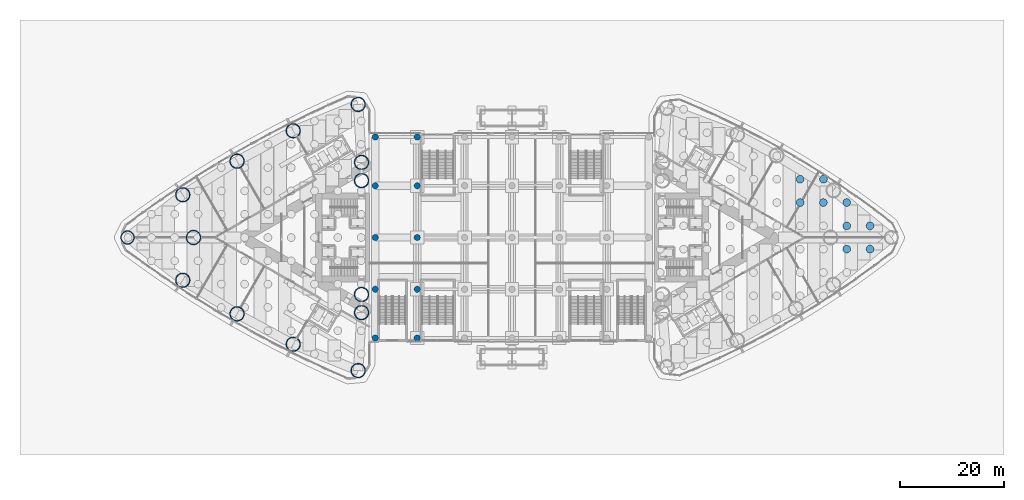
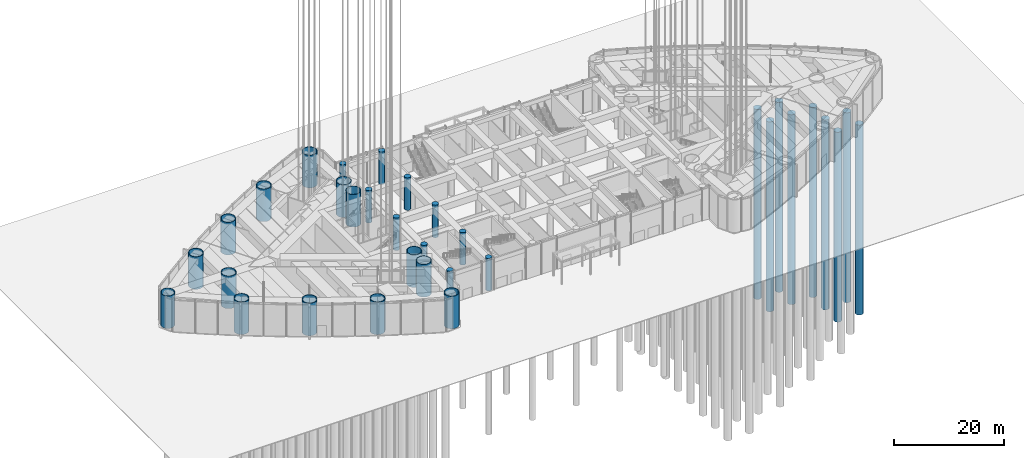
# One storey, part 2 of 43: 24 columns, 9 piles.
"""IFC4 building model written with IfcOpenShell, lengths in metres."""

import ifcopenshell
import ifcopenshell.guid

model = None  # the IFC model being written
_history = None  # IfcOwnerHistory: only IFC2X3 demands one
_inside = {}  # id of a spatial element -> (the spatial element, [elements in it])
_under = {}  # id of a project, library or spatial element -> (it, [spatial elements below it])
_declared = {}  # id of a project -> (the project, [libraries it declares])
_typed = {}  # id of a type object -> (the type object, [elements of that type])
_made_of = {}  # id of a material, layer set ... -> (it, [elements and type objects made of it])


def new_model(schema):
    """Start an empty IFC model of exactly this schema.

    Asked for "IFC4X3", IfcOpenShell would pick the latest addendum, in which some entities
    have other attributes; the version numbers below select the first issue.
    IFC2X3 requires an IfcOwnerHistory on every rooted entity: one is made here for all.
    """
    global model, _history
    if schema == "IFC4X3":
        model = ifcopenshell.file(schema_version=(4, 3, 0, 0))
    else:
        model = ifcopenshell.file(schema=schema)
    _inside.clear()
    _under.clear()
    _declared.clear()
    _typed.clear()
    _made_of.clear()
    _history = None
    if model.schema == "IFC2X3":
        org = make("IfcOrganization", Name="unknown")
        user = make(
            "IfcPersonAndOrganization",
            ThePerson=make("IfcPerson", FamilyName="unknown"),
            TheOrganization=org,
        )
        app = make(
            "IfcApplication",
            ApplicationDeveloper=org,
            Version="unknown",
            ApplicationFullName="unknown",
            ApplicationIdentifier="unknown",
        )
        _history = make(
            "IfcOwnerHistory",
            OwningUser=user,
            OwningApplication=app,
            ChangeAction="ADDED",
            CreationDate=0,
        )
    return model


def make(cls, **values):
    """One entity of the class cls with the attributes given. An attribute that is None is left unset."""
    return model.create_entity(
        cls, **{name: value for name, value in values.items() if value is not None}
    )


def rooted(cls, **values):
    """An entity with a GlobalId (a new one), such as an element, a storey or a relation."""
    return make(cls, GlobalId=ifcopenshell.guid.new(), OwnerHistory=_history, **values)


def si_unit(unit_type, name, prefix=None):
    """IfcSIUnit, for example si_unit("LENGTHUNIT", "METRE", prefix="MILLI")."""
    return make("IfcSIUnit", UnitType=unit_type, Prefix=prefix, Name=name)


def assignment(units):
    """IfcUnitAssignment: the units of a project."""
    return None if units is None else make("IfcUnitAssignment", Units=units)


def point(xyz):
    """IfcCartesianPoint."""
    return None if xyz is None else make("IfcCartesianPoint", Coordinates=xyz)


def direction(xyz):
    """IfcDirection."""
    return None if xyz is None else make("IfcDirection", DirectionRatios=xyz)


def frame(location, z_axis=None, x_axis=None):
    """IfcAxis2Placement3D, a coordinate frame: its origin and axes. An axis left out is left unset."""
    return make(
        "IfcAxis2Placement3D",
        Location=point(location),
        Axis=direction(z_axis),
        RefDirection=direction(x_axis),
    )


def frame_2d(location, x_axis=None):
    """IfcAxis2Placement2D, a coordinate frame in the plane: its origin and x axis."""
    return make(
        "IfcAxis2Placement2D", Location=point(location), RefDirection=direction(x_axis)
    )


def origin():
    """The frame at (0, 0, 0) with its axes left unset."""
    return frame((0.0, 0.0, 0.0))


def origin_2d():
    """The frame at (0, 0) in the plane with its x axis left unset."""
    return frame_2d((0.0, 0.0))


def place(relative_to, where):
    """IfcLocalPlacement: puts the frame where relative to a parent placement (None: the world)."""
    return make(
        "IfcLocalPlacement", PlacementRelTo=relative_to, RelativePlacement=where
    )


def context(
    kind, dimensions, precision=None, world=None, true_north=None, identifier=None
):
    """IfcGeometricRepresentationContext, for example the 3D "Model" context."""
    return make(
        "IfcGeometricRepresentationContext",
        ContextIdentifier=identifier,
        ContextType=kind,
        CoordinateSpaceDimension=dimensions,
        Precision=precision,
        WorldCoordinateSystem=world,
        TrueNorth=true_north,
    )


def subcontext(parent, identifier, kind, view, scale=None):
    """IfcGeometricRepresentationSubContext, for example "Body" below "Model"."""
    return make(
        "IfcGeometricRepresentationSubContext",
        ContextIdentifier=identifier,
        ContextType=kind,
        ParentContext=parent,
        TargetScale=scale,
        TargetView=view,
    )


def project(units=None, contexts=None):
    """IfcProject with its units and contexts."""
    return rooted(
        "IfcProject",
        Name="project",
        RepresentationContexts=contexts,
        UnitsInContext=assignment(units),
    )


def spatial(cls, under=None, at=None, **own):
    """A site, building, storey or space (cls), placed at a placement, below another one or the project."""
    s = rooted(cls, ObjectPlacement=at, **own)
    if under is not None:
        _under.setdefault(under.id(), (under, []))[1].append(s)
    return s


def profile(cls, at=None, kind="AREA", **sizes):
    """A parametric profile (cls). Its sizes go by their IFC names, for example OverallWidth=200.0."""
    return make(cls, ProfileType=kind, Position=at, **sizes)


def circle(**sizes):
    """IfcCircleProfileDef."""
    return profile("IfcCircleProfileDef", **sizes)


def hollow_circle(**sizes):
    """IfcCircleHollowProfileDef."""
    return profile("IfcCircleHollowProfileDef", **sizes)


def extrude(swept, where, along, depth):
    """IfcExtrudedAreaSolid: the profile swept, set in the frame where, extruded along a direction by depth."""
    return make(
        "IfcExtrudedAreaSolid",
        SweptArea=swept,
        Position=where,
        ExtrudedDirection=direction(along),
        Depth=depth,
    )


def shape(context_of_items, identifier, shape_type, items):
    """IfcShapeRepresentation: the items that make up one representation, for example the "Body"."""
    return make(
        "IfcShapeRepresentation",
        ContextOfItems=context_of_items,
        RepresentationIdentifier=identifier,
        RepresentationType=shape_type,
        Items=items,
    )


def material(Name=None, Category=None):
    """IfcMaterial."""
    return make("IfcMaterial", Name=Name, Category=Category)


def material_profile(
    of_material, cross_section, Name=None, Category=None, Priority=None
):
    """IfcMaterialProfile: a cross section and its material."""
    return make(
        "IfcMaterialProfile",
        Name=Name,
        Material=of_material,
        Profile=cross_section,
        Priority=Priority,
        Category=Category,
    )


def profile_set(profiles, Name=None, composite=None):
    """IfcMaterialProfileSet."""
    return make(
        "IfcMaterialProfileSet",
        Name=Name,
        MaterialProfiles=profiles,
        CompositeProfile=composite,
    )


def made_of(thing, what):
    """Note that an element or type object is made of a material, layer set ...; save() writes the relation."""
    if what is not None:
        _made_of.setdefault(what.id(), (what, []))[1].append(thing)
    return thing


def type_object(cls, material=None, **own):
    """A type object (cls), such as IfcWallType, which elements share."""
    return made_of(rooted(cls, **own), material)


def element(
    cls,
    number,
    at=None,
    inside=None,
    cuts=None,
    type_object=None,
    material=None,
    context=None,
    identifier="Body",
    shape_type=None,
    held_by="IfcProductDefinitionShape",
    body=None,
    shapes=None,
    **own,
):
    """One element of the class cls, such as IfcWall. Its Tag is "e" and its number.

    at: its placement. inside: the storey or other place that contains it. cuts: it is an
    opening in that element (IfcRelVoidsElement). A single representation is given by context,
    identifier, shape_type and body (its items); several are given by shapes. held_by: the class
    of the entity that holds the representations. save() writes the other relations.
    """
    e = rooted(cls, Tag="e%d" % number, ObjectPlacement=at, **own)
    if body is not None:
        shapes = [shape(context, identifier, shape_type, body)]
    if shapes is not None:
        e.Representation = make(held_by, Representations=shapes)
    if inside is not None:
        _inside.setdefault(inside.id(), (inside, []))[1].append(e)
    if cuts is not None:
        rooted(
            "IfcRelVoidsElement", RelatingBuildingElement=cuts, RelatedOpeningElement=e
        )
    if type_object is not None:
        _typed.setdefault(type_object.id(), (type_object, []))[1].append(e)
    return made_of(e, material)


def aggregate(whole, parts):
    """IfcRelAggregates: a whole, such as a stair, and the parts it consists of."""
    return rooted("IfcRelAggregates", RelatingObject=whole, RelatedObjects=parts)


def save(model, path):
    """Write the relations noted so far, then the file.

    IfcRelAggregates (storeys below a building ...), IfcRelContainedInSpatialStructure (elements
    in a storey), IfcRelDefinesByType, IfcRelAssociatesMaterial and IfcRelDeclares: one each for
    every whole, place, type object, material and project.
    """
    for whole, parts in _under.values():
        aggregate(whole, parts)
    for where, things in _inside.values():
        rooted(
            "IfcRelContainedInSpatialStructure",
            RelatedElements=things,
            RelatingStructure=where,
        )
    for kind, things in _typed.values():
        rooted("IfcRelDefinesByType", RelatedObjects=things, RelatingType=kind)
    for what, things in _made_of.values():
        rooted("IfcRelAssociatesMaterial", RelatedObjects=things, RelatingMaterial=what)
    for by, libraries in _declared.values():
        rooted("IfcRelDeclares", RelatingContext=by, RelatedDefinitions=libraries)
    model.write(path)


model = new_model("IFC4")

# Units and contexts
model_context = context("Model", 3, precision=1e-05, world=origin(), true_north=direction((0.0, 1.0)))
body_context = subcontext(model_context, "Body", "Model", "MODEL_VIEW")
ifc_project = project(units=[si_unit("LENGTHUNIT", "METRE"), si_unit("AREAUNIT", "SQUARE_METRE"), si_unit("VOLUMEUNIT", "CUBIC_METRE"), si_unit("PLANEANGLEUNIT", "RADIAN"), si_unit("MASSUNIT", "GRAM", prefix="KILO")], contexts=[model_context])

# Site, building, storey
site_placement = place(None, origin())
site = spatial("IfcSite", under=ifc_project, at=site_placement, CompositionType="ELEMENT")
building_placement = place(site_placement, origin())
building = spatial("IfcBuilding", under=site, at=building_placement, Name="Lancet Gate Hotel", CompositionType="ELEMENT")
storey_placement = place(building_placement, origin())
storey = spatial("IfcBuildingStorey", under=building, at=storey_placement, Name="L00", CompositionType="ELEMENT", Elevation=0.0)

# Piles
ifc_material_1 = material(Name="Concrete C40/50", Category="concrete")
ifc_material_profile_1 = material_profile(ifc_material_1, circle(Radius=0.75, at=origin_2d()), Name="PILE D1500")
ifc_profile_set_1 = profile_set([ifc_material_profile_1], Name="Concrete C40/50")
pile_type = type_object("IfcPileType", Name="Bored pile D1500", PredefinedType="BORED", material=ifc_profile_set_1)
for number, where, z_axis, x_axis, name in (
    (1, (55.63330078125, 6.75, -4.25), (0.0, 0.0, -1.0), (1.0, 0.0, 0.0), "T2 pile 065"),
    (2, (55.63330078125, 11.25, -4.25), (0.0, 0.0, -1.0), (1.0, 0.0, 0.0), "T2 pile 066"),
    (3, (60.13330078125, 6.75, -4.25), (0.0, 0.0, -1.0), (1.0, 0.0, 0.0), "T2 pile 071"),
    (4, (60.13330078125, 11.25, -4.25), (0.0, 0.0, -1.0), (1.0, 0.0, 0.0), "T2 pile 072"),
    (5, (64.63330078125, -2.25, -4.25), (0.0, 0.0, -1.0), (1.0, 0.0, 0.0), "T2 pile 074"),
    (6, (64.63330078125, 2.25, -4.25), (0.0, 0.0, -1.0), (1.0, 0.0, 0.0), "T2 pile 075"),
    (7, (64.63330078125, 6.75, -4.25), (0.0, 0.0, -1.0), (1.0, 0.0, 0.0), "T2 pile 076"),
    (8, (69.13330078125, -2.25, -4.25), (0.0, 0.0, -1.0), (1.0, 0.0, 0.0), "T2 pile 077"),
    (9, (69.13330078125, 2.25, -4.25), (0.0, 0.0, -1.0), (1.0, 0.0, 0.0), "T2 pile 078"),
):
    element("IfcPile", number, at=place(storey_placement, frame(where, z_axis=z_axis, x_axis=x_axis)), inside=storey, type_object=pile_type, Name=name, PredefinedType="BORED", context=body_context, shape_type="SweptSolid", body=[
        extrude(circle(Radius=0.75, at=origin_2d()), origin(), (0.0, 0.0, 1.0), 42.0),
    ])

# Columns
ifc_material_2 = material(Name="Composite filled tube, grade 460 plate, grade 80/95 fill", Category="composite")
ifc_material_profile_2 = material_profile(ifc_material_2, hollow_circle(Radius=1.39990234375, WallThickness=0.10009765625, at=origin_2d()), Name="CHS 2800x100")
ifc_profile_set_2 = profile_set([ifc_material_profile_2], Name="Composite filled tube, grade 460 plate, grade 80/95 fill")
column_type_1 = type_object("IfcColumnType", Name="Apex column CFT CHS 2800x100", PredefinedType="COLUMN", material=ifc_profile_set_2)
column_1_placement = place(storey_placement, frame((-61.5, 0.0, 0.0), z_axis=(0.0, 0.0, 1.0), x_axis=(1.0, 0.0, 0.0)))
element("IfcColumn", 10, at=column_1_placement, inside=storey, type_object=column_type_1, Name="T1 column AX L00", PredefinedType="COLUMN", context=body_context, shape_type="SweptSolid", body=[
    extrude(hollow_circle(Radius=1.39990234375, WallThickness=0.10009765625, at=origin_2d()), origin(), (0.0, 0.0, 1.0), 7.199951171875),
])
ifc_material_3 = material(Name="Composite filled tube, grade 460 plate, grade 80/95 fill", Category="composite")
ifc_material_profile_3 = material_profile(ifc_material_3, hollow_circle(Radius=1.300048828125, WallThickness=0.10009765625, at=origin_2d()), Name="CHS 2600x100")
ifc_profile_set_3 = profile_set([ifc_material_profile_3], Name="Composite filled tube, grade 460 plate, grade 80/95 fill")
column_type_2 = type_object("IfcColumnType", Name="Apex corner column CFT CHS 2600x100", PredefinedType="COLUMN", material=ifc_profile_set_3)
column_2_placement = place(storey_placement, frame((-74.235107421875, 0.0, 0.0), z_axis=(0.0, 0.0, 1.0), x_axis=(1.0, 0.0, 0.0)))
element("IfcColumn", 11, at=column_2_placement, inside=storey, type_object=column_type_2, Name="T1 column CA L00", PredefinedType="COLUMN", context=body_context, shape_type="SweptSolid", body=[
    extrude(hollow_circle(Radius=1.300048828125, WallThickness=0.10009765625, at=origin_2d()), origin(), (0.0, 0.0, 1.0), 7.199951171875),
])
ifc_material_4 = material(Name="Composite filled tube, grade 460 plate, grade 80/95 fill", Category="composite")
ifc_material_profile_4 = material_profile(ifc_material_4, hollow_circle(Radius=1.39990234375, WallThickness=0.1201171875, at=origin_2d()), Name="CHS 2800x120")
ifc_profile_set_4 = profile_set([ifc_material_profile_4], Name="Composite filled tube, grade 460 plate, grade 80/95 fill")
column_type_3 = type_object("IfcColumnType", Name="Perimeter column CFT CHS 2800x120", PredefinedType="COLUMN", material=ifc_profile_set_4)
for number, where, z_axis, x_axis, name in (
    (12, (-29.703369140625, -25.70263671875, 0.0), (0.0, 0.0, 1.0), (1.0, 0.0, 0.0), "T1 column CN L00"),
    (13, (-29.703369140625, 25.70263671875, 0.0), (0.0, 0.0, 1.0), (1.0, 0.0, 0.0), "T1 column CS L00"),
    (14, (-29.050048828125, -11.0, 0.0), (0.0, 0.0, 1.0), (1.0, 0.0, 0.0), "T1 column IN L00"),
    (15, (-29.050048828125, 11.0, 0.0), (0.0, 0.0, 1.0), (1.0, 0.0, 0.0), "T1 column IS L00"),
    (16, (-29.050048828125, 14.5, 0.0), (0.0, 0.0, 1.0), (1.0, 0.0, 0.0), "T1 column IT L00"),
    (17, (-29.050048828125, -14.5, 0.0), (0.0, 0.0, 1.0), (1.0, 0.0, 0.0), "T1 column JT L00"),
    (18, (-63.57177734375, -8.255126953125, 0.0), (0.0, 0.0, 1.0), (1.0, 0.0, 0.0), "T1 column ON1 L00"),
    (19, (-53.090087890625, -14.744873046875, 0.0), (0.0, 0.0, 1.0), (1.0, 0.0, 0.0), "T1 column ON2 L00"),
    (20, (-42.2451171875, -20.607421875, 0.0), (0.0, 0.0, 1.0), (1.0, 0.0, 0.0), "T1 column ON3 L00"),
    (21, (-42.2451171875, 20.607421875, 0.0), (0.0, 0.0, 1.0), (1.0, 0.0, 0.0), "T1 column OS1 L00"),
    (22, (-53.090087890625, 14.744873046875, 0.0), (0.0, 0.0, 1.0), (1.0, 0.0, 0.0), "T1 column OS2 L00"),
    (23, (-63.57177734375, 8.255126953125, 0.0), (0.0, 0.0, 1.0), (1.0, 0.0, 0.0), "T1 column OS3 L00"),
):
    element("IfcColumn", number, at=place(storey_placement, frame(where, z_axis=z_axis, x_axis=x_axis)), inside=storey, type_object=column_type_3, Name=name, PredefinedType="COLUMN", context=body_context, shape_type="SweptSolid", body=[
        extrude(hollow_circle(Radius=1.39990234375, WallThickness=0.1201171875, at=origin_2d()), origin(), (0.0, 0.0, 1.0), 7.199951171875),
    ])
ifc_material_5 = material(Name="Concrete C60/75", Category="concrete")
ifc_material_profile_5 = material_profile(ifc_material_5, circle(Radius=0.60009765625, at=origin_2d()), Name="RC D1200")
ifc_profile_set_5 = profile_set([ifc_material_profile_5], Name="Concrete C60/75")
column_type_4 = type_object("IfcColumnType", Name="Podium column RC D1200", PredefinedType="COLUMN", material=ifc_profile_set_5)
for number, where, z_axis, x_axis, name in (
    (24, (-26.39990234375, -19.39990234375, 0.0), (0.0, 0.0, 1.0), (1.0, 0.0, 0.0), "Podium column 1A L00"),
    (25, (-26.39990234375, -10.0, 0.0), (0.0, 0.0, 1.0), (1.0, 0.0, 0.0), "Podium column 1B L00"),
    (26, (-26.39990234375, 0.0, 0.0), (0.0, 0.0, 1.0), (1.0, 0.0, 0.0), "Podium column 1C L00"),
    (27, (-26.39990234375, 10.0, 0.0), (0.0, 0.0, 1.0), (1.0, 0.0, 0.0), "Podium column 1D L00"),
    (28, (-26.39990234375, 19.39990234375, 0.0), (0.0, 0.0, 1.0), (1.0, 0.0, 0.0), "Podium column 1E L00"),
    (29, (-18.300048828125, -19.39990234375, 0.0), (0.0, 0.0, 1.0), (1.0, 0.0, 0.0), "Podium column 2A L00"),
    (30, (-18.300048828125, -10.0, 0.0), (0.0, 0.0, 1.0), (1.0, 0.0, 0.0), "Podium column 2B L00"),
    (31, (-18.300048828125, 0.0, 0.0), (0.0, 0.0, 1.0), (1.0, 0.0, 0.0), "Podium column 2C L00"),
    (32, (-18.300048828125, 10.0, 0.0), (0.0, 0.0, 1.0), (1.0, 0.0, 0.0), "Podium column 2D L00"),
    (33, (-18.300048828125, 19.39990234375, 0.0), (0.0, 0.0, 1.0), (1.0, 0.0, 0.0), "Podium column 2E L00"),
):
    element("IfcColumn", number, at=place(storey_placement, frame(where, z_axis=z_axis, x_axis=x_axis)), inside=storey, type_object=column_type_4, Name=name, PredefinedType="COLUMN", context=body_context, shape_type="SweptSolid", body=[
        extrude(circle(Radius=0.60009765625, at=origin_2d()), origin(), (0.0, 0.0, 1.0), 7.199951171875),
    ])

save(model, "model.ifc")
